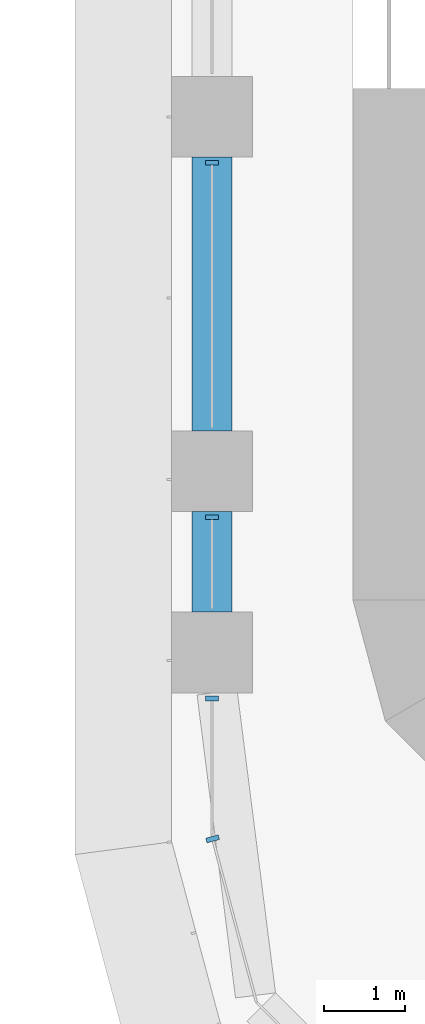
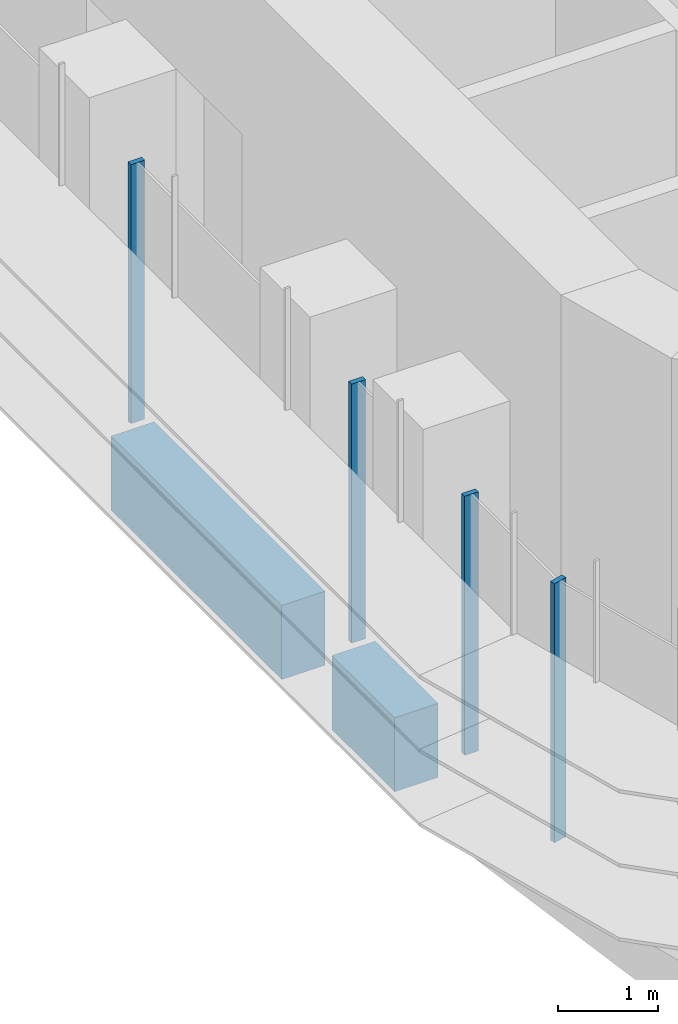
# One storey, part 2 of 23: 4 members, 2 beams, 2 elements without a shape of their own.
"""IFC4 building model written with IfcOpenShell, lengths in metres."""

import ifcopenshell
import ifcopenshell.guid

model = None  # the IFC model being written
_history = None  # IfcOwnerHistory: only IFC2X3 demands one
_inside = {}  # id of a spatial element -> (the spatial element, [elements in it])
_under = {}  # id of a project, library or spatial element -> (it, [spatial elements below it])
_declared = {}  # id of a project -> (the project, [libraries it declares])
_typed = {}  # id of a type object -> (the type object, [elements of that type])
_made_of = {}  # id of a material, layer set ... -> (it, [elements and type objects made of it])


def new_model(schema):
    """Start an empty IFC model of exactly this schema.

    Asked for "IFC4X3", IfcOpenShell would pick the latest addendum, in which some entities
    have other attributes; the version numbers below select the first issue.
    IFC2X3 requires an IfcOwnerHistory on every rooted entity: one is made here for all.
    """
    global model, _history
    if schema == "IFC4X3":
        model = ifcopenshell.file(schema_version=(4, 3, 0, 0))
    else:
        model = ifcopenshell.file(schema=schema)
    _inside.clear()
    _under.clear()
    _declared.clear()
    _typed.clear()
    _made_of.clear()
    _history = None
    if model.schema == "IFC2X3":
        org = make("IfcOrganization", Name="unknown")
        user = make(
            "IfcPersonAndOrganization",
            ThePerson=make("IfcPerson", FamilyName="unknown"),
            TheOrganization=org,
        )
        app = make(
            "IfcApplication",
            ApplicationDeveloper=org,
            Version="unknown",
            ApplicationFullName="unknown",
            ApplicationIdentifier="unknown",
        )
        _history = make(
            "IfcOwnerHistory",
            OwningUser=user,
            OwningApplication=app,
            ChangeAction="ADDED",
            CreationDate=0,
        )
    return model


def make(cls, **values):
    """One entity of the class cls with the attributes given. An attribute that is None is left unset."""
    return model.create_entity(
        cls, **{name: value for name, value in values.items() if value is not None}
    )


def rooted(cls, **values):
    """An entity with a GlobalId (a new one), such as an element, a storey or a relation."""
    return make(cls, GlobalId=ifcopenshell.guid.new(), OwnerHistory=_history, **values)


def si_unit(unit_type, name, prefix=None):
    """IfcSIUnit, for example si_unit("LENGTHUNIT", "METRE", prefix="MILLI")."""
    return make("IfcSIUnit", UnitType=unit_type, Prefix=prefix, Name=name)


def assignment(units):
    """IfcUnitAssignment: the units of a project."""
    return None if units is None else make("IfcUnitAssignment", Units=units)


def point(xyz):
    """IfcCartesianPoint."""
    return None if xyz is None else make("IfcCartesianPoint", Coordinates=xyz)


def direction(xyz):
    """IfcDirection."""
    return None if xyz is None else make("IfcDirection", DirectionRatios=xyz)


def frame(location, z_axis=None, x_axis=None):
    """IfcAxis2Placement3D, a coordinate frame: its origin and axes. An axis left out is left unset."""
    return make(
        "IfcAxis2Placement3D",
        Location=point(location),
        Axis=direction(z_axis),
        RefDirection=direction(x_axis),
    )


def frame_2d(location, x_axis=None):
    """IfcAxis2Placement2D, a coordinate frame in the plane: its origin and x axis."""
    return make(
        "IfcAxis2Placement2D", Location=point(location), RefDirection=direction(x_axis)
    )


def origin():
    """The frame at (0, 0, 0) with its axes left unset."""
    return frame((0.0, 0.0, 0.0))


def origin_2d():
    """The frame at (0, 0) in the plane with its x axis left unset."""
    return frame_2d((0.0, 0.0))


def place(relative_to, where):
    """IfcLocalPlacement: puts the frame where relative to a parent placement (None: the world)."""
    return make(
        "IfcLocalPlacement", PlacementRelTo=relative_to, RelativePlacement=where
    )


def context(
    kind, dimensions, precision=None, world=None, true_north=None, identifier=None
):
    """IfcGeometricRepresentationContext, for example the 3D "Model" context."""
    return make(
        "IfcGeometricRepresentationContext",
        ContextIdentifier=identifier,
        ContextType=kind,
        CoordinateSpaceDimension=dimensions,
        Precision=precision,
        WorldCoordinateSystem=world,
        TrueNorth=true_north,
    )


def subcontext(parent, identifier, kind, view, scale=None):
    """IfcGeometricRepresentationSubContext, for example "Body" below "Model"."""
    return make(
        "IfcGeometricRepresentationSubContext",
        ContextIdentifier=identifier,
        ContextType=kind,
        ParentContext=parent,
        TargetScale=scale,
        TargetView=view,
    )


def project(units=None, contexts=None):
    """IfcProject with its units and contexts."""
    return rooted(
        "IfcProject",
        Name="project",
        RepresentationContexts=contexts,
        UnitsInContext=assignment(units),
    )


def spatial(cls, under=None, at=None, **own):
    """A site, building, storey or space (cls), placed at a placement, below another one or the project."""
    s = rooted(cls, ObjectPlacement=at, **own)
    if under is not None:
        _under.setdefault(under.id(), (under, []))[1].append(s)
    return s


def polyline(points):
    """IfcPolyline through the points."""
    return make("IfcPolyline", Points=[point(p) for p in points])


def profile(cls, at=None, kind="AREA", **sizes):
    """A parametric profile (cls). Its sizes go by their IFC names, for example OverallWidth=200.0."""
    return make(cls, ProfileType=kind, Position=at, **sizes)


def rectangle(**sizes):
    """IfcRectangleProfileDef."""
    return profile("IfcRectangleProfileDef", **sizes)


def outline(outer, holes=None, kind="AREA"):
    """IfcArbitraryClosedProfileDef: a profile drawn as a closed curve; with holes, ...WithVoids."""
    if holes is None:
        return make("IfcArbitraryClosedProfileDef", ProfileType=kind, OuterCurve=outer)
    return make(
        "IfcArbitraryProfileDefWithVoids",
        ProfileType=kind,
        OuterCurve=outer,
        InnerCurves=holes,
    )


def extrude(swept, where, along, depth):
    """IfcExtrudedAreaSolid: the profile swept, set in the frame where, extruded along a direction by depth."""
    return make(
        "IfcExtrudedAreaSolid",
        SweptArea=swept,
        Position=where,
        ExtrudedDirection=direction(along),
        Depth=depth,
    )


def shape(context_of_items, identifier, shape_type, items):
    """IfcShapeRepresentation: the items that make up one representation, for example the "Body"."""
    return make(
        "IfcShapeRepresentation",
        ContextOfItems=context_of_items,
        RepresentationIdentifier=identifier,
        RepresentationType=shape_type,
        Items=items,
    )


def source(mapping_origin, context_of_items, identifier, shape_type, items):
    """IfcRepresentationMap: a shape defined once, which mapped items show again and again."""
    return make(
        "IfcRepresentationMap",
        MappingOrigin=mapping_origin,
        MappedRepresentation=shape(context_of_items, identifier, shape_type, items),
    )


def transform(
    local_origin,
    x_axis=None,
    y_axis=None,
    z_axis=None,
    scale=None,
    scale2=None,
    scale3=None,
    uniform=True,
):
    """IfcCartesianTransformationOperator3D, or its non-uniform kind. x_axis, y_axis, z_axis: its Axis1, 2, 3."""
    if uniform:
        return make(
            "IfcCartesianTransformationOperator3D",
            Axis1=direction(x_axis),
            Axis2=direction(y_axis),
            LocalOrigin=point(local_origin),
            Scale=scale,
            Axis3=direction(z_axis),
        )
    return make(
        "IfcCartesianTransformationOperator3DnonUniform",
        Axis1=direction(x_axis),
        Axis2=direction(y_axis),
        LocalOrigin=point(local_origin),
        Scale=scale,
        Axis3=direction(z_axis),
        Scale2=scale2,
        Scale3=scale3,
    )


def mapped(mapping_source, mapping_target):
    """IfcMappedItem: shows the shape of a source again, moved by a transform."""
    return make(
        "IfcMappedItem", MappingSource=mapping_source, MappingTarget=mapping_target
    )


def material(Name=None, Category=None):
    """IfcMaterial."""
    return make("IfcMaterial", Name=Name, Category=Category)


def material_profile(
    of_material, cross_section, Name=None, Category=None, Priority=None
):
    """IfcMaterialProfile: a cross section and its material."""
    return make(
        "IfcMaterialProfile",
        Name=Name,
        Material=of_material,
        Profile=cross_section,
        Priority=Priority,
        Category=Category,
    )


def profile_set(profiles, Name=None, composite=None):
    """IfcMaterialProfileSet."""
    return make(
        "IfcMaterialProfileSet",
        Name=Name,
        MaterialProfiles=profiles,
        CompositeProfile=composite,
    )


def made_of(thing, what):
    """Note that an element or type object is made of a material, layer set ...; save() writes the relation."""
    if what is not None:
        _made_of.setdefault(what.id(), (what, []))[1].append(thing)
    return thing


def type_object(cls, material=None, **own):
    """A type object (cls), such as IfcWallType, which elements share."""
    return made_of(rooted(cls, **own), material)


def element(
    cls,
    number,
    at=None,
    inside=None,
    cuts=None,
    type_object=None,
    material=None,
    context=None,
    identifier="Body",
    shape_type=None,
    held_by="IfcProductDefinitionShape",
    body=None,
    shapes=None,
    **own,
):
    """One element of the class cls, such as IfcWall. Its Tag is "e" and its number.

    at: its placement. inside: the storey or other place that contains it. cuts: it is an
    opening in that element (IfcRelVoidsElement). A single representation is given by context,
    identifier, shape_type and body (its items); several are given by shapes. held_by: the class
    of the entity that holds the representations. save() writes the other relations.
    """
    e = rooted(cls, Tag="e%d" % number, ObjectPlacement=at, **own)
    if body is not None:
        shapes = [shape(context, identifier, shape_type, body)]
    if shapes is not None:
        e.Representation = make(held_by, Representations=shapes)
    if inside is not None:
        _inside.setdefault(inside.id(), (inside, []))[1].append(e)
    if cuts is not None:
        rooted(
            "IfcRelVoidsElement", RelatingBuildingElement=cuts, RelatedOpeningElement=e
        )
    if type_object is not None:
        _typed.setdefault(type_object.id(), (type_object, []))[1].append(e)
    return made_of(e, material)


def aggregate(whole, parts):
    """IfcRelAggregates: a whole, such as a stair, and the parts it consists of."""
    return rooted("IfcRelAggregates", RelatingObject=whole, RelatedObjects=parts)


def save(model, path):
    """Write the relations noted so far, then the file.

    IfcRelAggregates (storeys below a building ...), IfcRelContainedInSpatialStructure (elements
    in a storey), IfcRelDefinesByType, IfcRelAssociatesMaterial and IfcRelDeclares: one each for
    every whole, place, type object, material and project.
    """
    for whole, parts in _under.values():
        aggregate(whole, parts)
    for where, things in _inside.values():
        rooted(
            "IfcRelContainedInSpatialStructure",
            RelatedElements=things,
            RelatingStructure=where,
        )
    for kind, things in _typed.values():
        rooted("IfcRelDefinesByType", RelatedObjects=things, RelatingType=kind)
    for what, things in _made_of.values():
        rooted("IfcRelAssociatesMaterial", RelatedObjects=things, RelatingMaterial=what)
    for by, libraries in _declared.values():
        rooted("IfcRelDeclares", RelatingContext=by, RelatedDefinitions=libraries)
    model.write(path)


model = new_model("IFC4")

# Units and contexts
model_context = context("Model", 3, precision=1e-05, world=origin(), true_north=direction((0.0, 1.0)))
body_context = subcontext(model_context, "Body", "Model", "MODEL_VIEW")
ifc_project = project(units=[si_unit("LENGTHUNIT", "METRE"), si_unit("AREAUNIT", "SQUARE_METRE"), si_unit("VOLUMEUNIT", "CUBIC_METRE"), si_unit("PLANEANGLEUNIT", "RADIAN"), si_unit("MASSUNIT", "GRAM", prefix="KILO")], contexts=[model_context])

# Site, building, storey
site_placement = place(None, origin())
site = spatial("IfcSite", under=ifc_project, at=site_placement, CompositionType="ELEMENT")
building_placement = place(site_placement, origin())
building = spatial("IfcBuilding", under=site, at=building_placement, Name="Zarbagh Exchange Tower", CompositionType="ELEMENT")
storey_placement = place(building_placement, frame((0.0, 0.0, 69.0)))
storey = spatial("IfcBuildingStorey", under=building, at=storey_placement, Name="L15", CompositionType="ELEMENT", Elevation=69.0)

# Beams
ifc_material_1 = material(Name="Concrete C60/75", Category="concrete")
ifc_material_profile = material_profile(ifc_material_1, rectangle(XDim=0.5, YDim=0.89990234375, at=origin_2d()), Name="RC spandrel beam 500 x 900 C60/75")
ifc_profile_set = profile_set([ifc_material_profile], Name="Concrete C60/75")
beam_type = type_object("IfcBeamType", Name="RC spandrel beam 500 x 900 C60/75", PredefinedType="SPANDREL", material=ifc_profile_set)
beam_1_placement = place(storey_placement, frame((-6.25, -26.39990234375, -0.60009765625), z_axis=(0.0, 1.0, 0.0), x_axis=(-1.0, 0.0, 0.0)))
element("IfcBeam", 1, at=beam_1_placement, inside=storey, type_object=beam_type, Name="RC spandrel beam", PredefinedType="SPANDREL", context=body_context, shape_type="SweptSolid", body=[
    extrude(rectangle(XDim=0.5, YDim=0.89990234375, at=origin_2d()), origin(), (0.0, 0.0, 1.0), 1.25),
])
beam_2_placement = place(storey_placement, frame((-6.25, -24.14990234375, -0.60009765625), z_axis=(0.0, 1.0, 0.0), x_axis=(-1.0, 0.0, 0.0)))
element("IfcBeam", 2, at=beam_2_placement, inside=storey, type_object=beam_type, Name="RC spandrel beam", PredefinedType="SPANDREL", context=body_context, shape_type="SweptSolid", body=[
    extrude(rectangle(XDim=0.5, YDim=0.89990234375, at=origin_2d()), origin(), (0.0, 0.0, 1.0), 3.39990234375),
])

# Curtain wall, members
ifc_material_2 = material(Name="Anodised aluminium frame and glazing", Category="aluminium")
curtain_wall_type = type_object("IfcCurtainWallType", Name="CWA Ribbon glazing, lower zones", PredefinedType="NOTDEFINED", material=ifc_material_2)
curtain_wall_1_placement = place(storey_placement, origin())
curtain_wall_1 = element("IfcCurtainWall", 3, at=curtain_wall_1_placement, inside=storey, type_object=curtain_wall_type, Name="CWA44 curtain wall", PredefinedType="NOTDEFINED")
ifc_material_3 = material(Name="Anodised aluminium frame", Category="aluminium")
member_type = type_object("IfcMemberType", Name="MUA Mullion, anodised aluminium frame", PredefinedType="MULLION", material=ifc_material_3)
shared_shape = source(origin(), body_context, "Body", "SweptSolid", [
    extrude(outline(polyline([(0.0, -0.080078125), (0.06005859375, -0.080078125), (0.06005859375, 0.080078125), (0.0, 0.080078125), (0.0, -0.080078125)])), origin(), (0.0, 0.0, 1.0), 3.14990234375),
])
placement = place(storey_placement, origin())
member_1 = element("IfcMember", 4, at=placement, type_object=member_type, Name="CWA44 mullion 3.1", PredefinedType="MULLION", context=body_context, shape_type="MappedRepresentation", body=[
    mapped(shared_shape, transform((-6.25, -20.7900390625, 0.0), x_axis=(0.0, -1.0, 0.0), y_axis=(1.0, 0.0, 0.0), z_axis=(0.0, 0.0, 1.0))),
])
member_2 = element("IfcMember", 5, at=placement, type_object=member_type, Name="CWA44 mullion 4.1", PredefinedType="MULLION", context=body_context, shape_type="MappedRepresentation", body=[
    mapped(shared_shape, transform((-6.25, -25.18994140625, 0.0), x_axis=(0.0, -1.0, 0.0), y_axis=(1.0, 0.0, 0.0), z_axis=(0.0, 0.0, 1.0))),
])
member_3 = element("IfcMember", 6, at=placement, type_object=member_type, Name="CWA44 mullion 5.1", PredefinedType="MULLION", context=body_context, shape_type="MappedRepresentation", body=[
    mapped(shared_shape, transform((-6.25, -27.43994140625, 0.0), x_axis=(0.0, -1.0, 0.0), y_axis=(1.0, 0.0, 0.0), z_axis=(0.0, 0.0, 1.0))),
])
aggregate(curtain_wall_1, [member_1, member_2, member_3])

# Curtain wall, member
curtain_wall_2_placement = place(storey_placement, origin())
curtain_wall_2 = element("IfcCurtainWall", 7, at=curtain_wall_2_placement, inside=storey, type_object=curtain_wall_type, Name="CWA45 curtain wall", PredefinedType="NOTDEFINED")
member_4 = element("IfcMember", 8, at=placement, type_object=member_type, Name="CWA45 mullion 1.1", PredefinedType="MULLION", context=body_context, shape_type="MappedRepresentation", body=[
    mapped(shared_shape, transform((-6.25, -29.18408203125, 0.0), x_axis=(0.258824779902, -0.965924289636, 0.0), y_axis=(0.965924289636, 0.258824779902, 0.0), z_axis=(0.0, 0.0, 1.0))),
])
aggregate(curtain_wall_2, [member_4])

save(model, "model.ifc")
